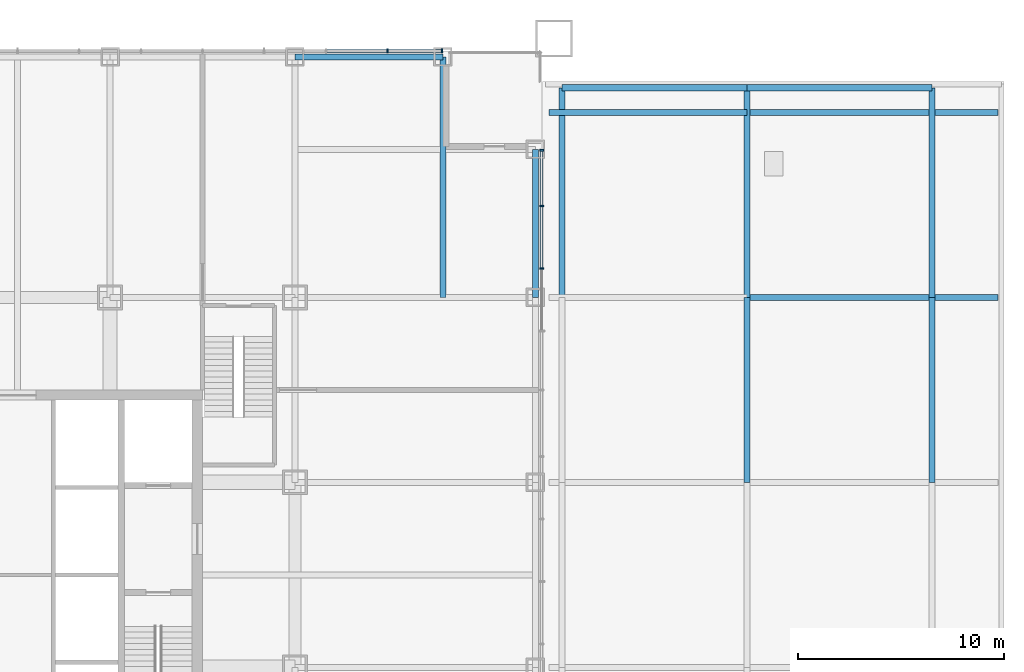
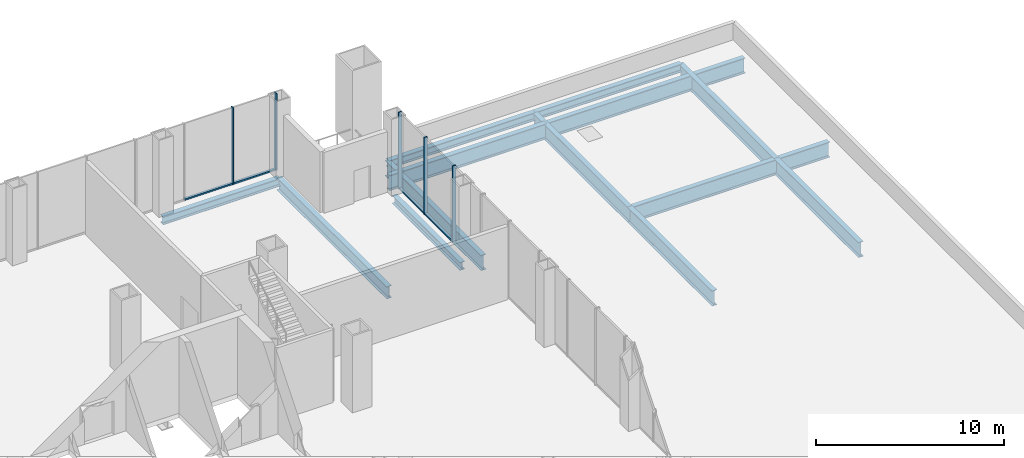
# One storey, part 11 of 16: 13 beams, 9 members, 2 elements without a shape of their own.
"""IFC4 building model written with IfcOpenShell, lengths in metres."""

from ifc_helpers import new_model, si_unit, direction, frame, origin, origin_2d, place, context, subcontext, project, spatial, rectangle, i_section, extrude, material, layer, layer_set, material_profile, profile_set, type_object, element, aggregate, save


model = new_model("IFC4")

# Units and contexts
model_context = context("Model", 3, precision=1e-05, world=origin(), true_north=direction((0.0, 1.0)))
body_context = subcontext(model_context, "Body", "Model", "MODEL_VIEW")
ifc_project = project(units=[si_unit("LENGTHUNIT", "METRE"), si_unit("AREAUNIT", "SQUARE_METRE"), si_unit("VOLUMEUNIT", "CUBIC_METRE"), si_unit("PLANEANGLEUNIT", "RADIAN"), si_unit("MASSUNIT", "GRAM", prefix="KILO")], contexts=[model_context])

# Site, building, storey
site_placement = place(None, origin())
site = spatial("IfcSite", under=ifc_project, at=site_placement, CompositionType="ELEMENT")
building_placement = place(site_placement, origin())
building = spatial("IfcBuilding", under=site, at=building_placement, Name="Malebo Sky Hospital", CompositionType="ELEMENT")
storey_placement = place(building_placement, frame((0.0, 0.0, 26.0)))
storey = spatial("IfcBuildingStorey", under=building, at=storey_placement, Name="L05", CompositionType="ELEMENT", Elevation=26.0)

# Curtain wall, members
ifc_material_1 = material(Name="Anodised aluminium, natural silver", Category="aluminium")
ifc_layer = layer(ifc_material_1, 0.25)
ifc_layer_set = layer_set([ifc_layer], Name="PLANT LOUVRE SCREEN")
curtain_wall_type = type_object("IfcCurtainWallType", Name="PLANT LOUVRE SCREEN", PredefinedType="NOTDEFINED", material=ifc_layer_set)
curtain_wall_1_placement = place(storey_placement, origin())
curtain_wall_1 = element("IfcCurtainWall", 1, at=curtain_wall_1_placement, inside=storey, type_object=curtain_wall_type, Name="PLANT curtain wall N", PredefinedType="NOTDEFINED")
ifc_material_profile_1 = material_profile(ifc_material_1, rectangle(XDim=0.14990234375, YDim=0.10009765625, at=origin_2d()), Name="ALUMINIUM TRANSOM 150x100")
ifc_profile_set_1 = profile_set([ifc_material_profile_1], Name="Anodised aluminium, natural silver")
member_type_1 = type_object("IfcMemberType", Name="ALUMINIUM TRANSOM 150x100", PredefinedType="USERDEFINED", material=ifc_profile_set_1)
member_1_placement = place(storey_placement, frame((75.03759765625, 87.5, 0.050048828125), z_axis=(1.0, 0.0, 0.0), x_axis=(0.0, 1.0, 0.0)))
member_1 = element("IfcMember", 2, at=member_1_placement, type_object=member_type_1, Name="Transom 13", ObjectType="TRANSOM", PredefinedType="USERDEFINED", context=body_context, shape_type="SweptSolid", body=[
    extrude(rectangle(XDim=0.14990234375, YDim=0.10009765625, at=origin_2d()), origin(), (0.0, 0.0, 1.0), 2.9248046875),
])
member_2_placement = place(storey_placement, frame((78.03759765625, 87.5, 0.050048828125), z_axis=(1.0, 0.0, 0.0), x_axis=(0.0, 1.0, 0.0)))
member_2 = element("IfcMember", 3, at=member_2_placement, type_object=member_type_1, Name="Transom 14", ObjectType="TRANSOM", PredefinedType="USERDEFINED", context=body_context, shape_type="SweptSolid", body=[
    extrude(rectangle(XDim=0.14990234375, YDim=0.10009765625, at=origin_2d()), origin(), (0.0, 0.0, 1.0), 2.58740234375),
])

curtain_wall_2_placement = place(storey_placement, origin())
curtain_wall_2 = element("IfcCurtainWall", 4, at=curtain_wall_2_placement, inside=storey, type_object=curtain_wall_type, Name="PLANT curtain wall E", PredefinedType="NOTDEFINED")
member_3_placement = place(storey_placement, frame((85.5, 82.625, 0.050048828125), z_axis=(0.0, -1.0, 0.0), x_axis=(1.0, 0.0, 0.0)))
member_3 = element("IfcMember", 5, at=member_3_placement, type_object=member_type_1, Name="Transom 1", ObjectType="TRANSOM", PredefinedType="USERDEFINED", context=body_context, shape_type="SweptSolid", body=[
    extrude(rectangle(XDim=0.14990234375, YDim=0.10009765625, at=origin_2d()), origin(), (0.0, 0.0, 1.0), 2.6337890625),
])
member_4_placement = place(storey_placement, frame((85.5, 79.916259765625, 0.050048828125), z_axis=(0.0, -1.0, 0.0), x_axis=(1.0, 0.0, 0.0)))
member_4 = element("IfcMember", 6, at=member_4_placement, type_object=member_type_1, Name="Transom 2", ObjectType="TRANSOM", PredefinedType="USERDEFINED", context=body_context, shape_type="SweptSolid", body=[
    extrude(rectangle(XDim=0.14990234375, YDim=0.10009765625, at=origin_2d()), origin(), (0.0, 0.0, 1.0), 2.970947265625),
])

# Member
ifc_material_profile_2 = material_profile(ifc_material_1, rectangle(XDim=0.074951171875, YDim=0.199951171875, at=origin_2d()), Name="CW5 ALUMINIUM FIN MULLION 75x200")
ifc_profile_set_2 = profile_set([ifc_material_profile_2], Name="Anodised aluminium, natural silver")
member_type_2 = type_object("IfcMemberType", Name="CW5 ALUMINIUM FIN MULLION 75x200", PredefinedType="MULLION", material=ifc_profile_set_2)
member_5_placement = place(storey_placement, frame((78.0, 87.5, 0.0), z_axis=(0.0, 0.0, 1.0), x_axis=(1.0, 0.0, 0.0)))
member_5 = element("IfcMember", 7, at=member_5_placement, type_object=member_type_2, Name="Fin mullion 14", PredefinedType="MULLION", context=body_context, shape_type="SweptSolid", body=[
    extrude(rectangle(XDim=0.074951171875, YDim=0.199951171875, at=origin_2d()), origin(), (0.0, 0.0, 1.0), 5.0),
])

member_6_placement = place(storey_placement, frame((80.66259765625, 87.5, 0.0), z_axis=(0.0, 0.0, 1.0), x_axis=(1.0, 0.0, 0.0)))
member_6 = element("IfcMember", 8, at=member_6_placement, type_object=member_type_2, Name="Fin mullion 15", PredefinedType="MULLION", context=body_context, shape_type="SweptSolid", body=[
    extrude(rectangle(XDim=0.074951171875, YDim=0.199951171875, at=origin_2d()), origin(), (0.0, 0.0, 1.0), 5.0),
])

aggregate(curtain_wall_1, [member_5, member_6, member_1, member_2])

member_7_placement = place(storey_placement, frame((85.5, 82.66259765625, 0.0), z_axis=(0.0, 0.0, 1.0), x_axis=(0.0, -1.0, 0.0)))
member_7 = element("IfcMember", 9, at=member_7_placement, type_object=member_type_2, Name="Fin mullion 1", PredefinedType="MULLION", context=body_context, shape_type="SweptSolid", body=[
    extrude(rectangle(XDim=0.074951171875, YDim=0.199951171875, at=origin_2d()), origin(), (0.0, 0.0, 1.0), 5.0),
])

member_8_placement = place(storey_placement, frame((85.5, 79.953857421875, 0.0), z_axis=(0.0, 0.0, 1.0), x_axis=(0.0, -1.0, 0.0)))
member_8 = element("IfcMember", 10, at=member_8_placement, type_object=member_type_2, Name="Fin mullion 2", PredefinedType="MULLION", context=body_context, shape_type="SweptSolid", body=[
    extrude(rectangle(XDim=0.074951171875, YDim=0.199951171875, at=origin_2d()), origin(), (0.0, 0.0, 1.0), 5.0),
])

member_9_placement = place(storey_placement, frame((85.5, 76.90771484375, 0.0), z_axis=(0.0, 0.0, 1.0), x_axis=(0.0, -1.0, 0.0)))
member_9 = element("IfcMember", 11, at=member_9_placement, type_object=member_type_2, Name="Fin mullion 3", PredefinedType="MULLION", context=body_context, shape_type="SweptSolid", body=[
    extrude(rectangle(XDim=0.074951171875, YDim=0.199951171875, at=origin_2d()), origin(), (0.0, 0.0, 1.0), 5.0),
])

aggregate(curtain_wall_2, [member_7, member_8, member_9, member_3, member_4])

# Beams
ifc_material_2 = material(Name="Steel S355", Category="steel")
ifc_material_profile_3 = material_profile(ifc_material_2, i_section(OverallWidth=0.305908203125, OverallDepth=0.52392578125, WebThickness=0.02099609375, FlangeThickness=0.0400390625, FilletRadius=0.027099609375, at=origin_2d()), Name="HEM 500")
ifc_profile_set_3 = profile_set([ifc_material_profile_3], Name="Steel S355")
beam_type_1 = type_object("IfcBeamType", Name="EDGE BEAM HEM 500", PredefinedType="BEAM", material=ifc_profile_set_3)
for number, where, z_axis, x_axis, name in (
    (12, (85.199951171875, 75.5, -0.56201171875), (0.0, 1.0, 0.0), (-1.0, 0.0, 0.0), "Beam 033 L05"),
    (13, (73.5, 87.199951171875, -0.56201171875), (1.0, 0.0, 0.0), (0.0, 1.0, 0.0), "Beam 067 L05"),
):
    element("IfcBeam", number, at=place(storey_placement, frame(where, z_axis=z_axis, x_axis=x_axis)), inside=storey, type_object=beam_type_1, Name=name, PredefinedType="BEAM", context=body_context, shape_type="SweptSolid", body=[
        extrude(i_section(OverallWidth=0.305908203125, OverallDepth=0.52392578125, WebThickness=0.02099609375, FlangeThickness=0.0400390625, FilletRadius=0.027099609375, at=origin_2d()), origin(), (0.0, 0.0, 1.0), 7.199951171875),
    ])
for number, where, z_axis, x_axis, name in (
    (14, (86.5, 85.699951171875, -0.56201171875), (1.0, 0.0, 0.0), (0.0, 1.0, 0.0), "Beam E030 L05"),
    (15, (95.5, 85.699951171875, -0.56201171875), (1.0, 0.0, 0.0), (0.0, 1.0, 0.0), "Beam E031 L05"),
):
    element("IfcBeam", number, at=place(storey_placement, frame(where, z_axis=z_axis, x_axis=x_axis)), inside=storey, type_object=beam_type_1, Name=name, PredefinedType="BEAM", context=body_context, shape_type="SweptSolid", body=[
        extrude(i_section(OverallWidth=0.305908203125, OverallDepth=0.52392578125, WebThickness=0.02099609375, FlangeThickness=0.0400390625, FilletRadius=0.027099609375, at=origin_2d()), origin(), (0.0, 0.0, 1.0), 9.0),
    ])
ifc_material_profile_4 = material_profile(ifc_material_2, i_section(OverallWidth=0.300048828125, OverallDepth=1.0, WebThickness=0.01904296875, FlangeThickness=0.035888671875, FilletRadius=0.030029296875, at=origin_2d()), Name="HEB 1000")
ifc_profile_set_4 = profile_set([ifc_material_profile_4], Name="Steel S355")
beam_type_2 = type_object("IfcBeamType", Name="FLOOR BEAM HEB 1000", PredefinedType="BEAM", material=ifc_profile_set_4)
beam_1_placement = place(storey_placement, frame((86.5, 75.5, -0.800048828125), z_axis=(0.0, 1.0, 0.0), x_axis=(-1.0, 0.0, 0.0)))
element("IfcBeam", 16, at=beam_1_placement, inside=storey, type_object=beam_type_2, Name="Beam E005 L05", PredefinedType="BEAM", context=body_context, shape_type="SweptSolid", body=[
    extrude(i_section(OverallWidth=0.300048828125, OverallDepth=1.0, WebThickness=0.01904296875, FlangeThickness=0.035888671875, FilletRadius=0.030029296875, at=origin_2d()), origin(), (0.0, 0.0, 1.0), 10.199951171875),
])
beam_2_placement = place(storey_placement, frame((95.5, 66.5, -0.800048828125), z_axis=(0.0, 1.0, 0.0), x_axis=(-1.0, 0.0, 0.0)))
element("IfcBeam", 17, at=beam_2_placement, inside=storey, type_object=beam_type_2, Name="Beam E009 L05", PredefinedType="BEAM", context=body_context, shape_type="SweptSolid", body=[
    extrude(i_section(OverallWidth=0.300048828125, OverallDepth=1.0, WebThickness=0.01904296875, FlangeThickness=0.035888671875, FilletRadius=0.030029296875, at=origin_2d()), origin(), (0.0, 0.0, 1.0), 9.0),
])
beam_3_placement = place(storey_placement, frame((95.5, 75.5, -0.800048828125), z_axis=(0.0, 1.0, 0.0), x_axis=(-1.0, 0.0, 0.0)))
element("IfcBeam", 18, at=beam_3_placement, inside=storey, type_object=beam_type_2, Name="Beam E010 L05", PredefinedType="BEAM", context=body_context, shape_type="SweptSolid", body=[
    extrude(i_section(OverallWidth=0.300048828125, OverallDepth=1.0, WebThickness=0.01904296875, FlangeThickness=0.035888671875, FilletRadius=0.030029296875, at=origin_2d()), origin(), (0.0, 0.0, 1.0), 10.199951171875),
])
beam_4_placement = place(storey_placement, frame((104.5, 66.5, -0.800048828125), z_axis=(0.0, 1.0, 0.0), x_axis=(-1.0, 0.0, 0.0)))
element("IfcBeam", 19, at=beam_4_placement, inside=storey, type_object=beam_type_2, Name="Beam E014 L05", PredefinedType="BEAM", context=body_context, shape_type="SweptSolid", body=[
    extrude(i_section(OverallWidth=0.300048828125, OverallDepth=1.0, WebThickness=0.01904296875, FlangeThickness=0.035888671875, FilletRadius=0.030029296875, at=origin_2d()), origin(), (0.0, 0.0, 1.0), 9.0),
])
beam_5_placement = place(storey_placement, frame((104.5, 75.5, -0.800048828125), z_axis=(0.0, 1.0, 0.0), x_axis=(-1.0, 0.0, 0.0)))
element("IfcBeam", 20, at=beam_5_placement, inside=storey, type_object=beam_type_2, Name="Beam E015 L05", PredefinedType="BEAM", context=body_context, shape_type="SweptSolid", body=[
    extrude(i_section(OverallWidth=0.300048828125, OverallDepth=1.0, WebThickness=0.01904296875, FlangeThickness=0.035888671875, FilletRadius=0.030029296875, at=origin_2d()), origin(), (0.0, 0.0, 1.0), 10.199951171875),
])
beam_6_placement = place(storey_placement, frame((95.5, 75.5, -0.800048828125), z_axis=(1.0, 0.0, 0.0), x_axis=(0.0, 1.0, 0.0)))
element("IfcBeam", 21, at=beam_6_placement, inside=storey, type_object=beam_type_2, Name="Beam E025 L05", PredefinedType="BEAM", context=body_context, shape_type="SweptSolid", body=[
    extrude(i_section(OverallWidth=0.300048828125, OverallDepth=1.0, WebThickness=0.01904296875, FlangeThickness=0.035888671875, FilletRadius=0.030029296875, at=origin_2d()), origin(), (0.0, 0.0, 1.0), 12.199951171875),
])
beam_7_placement = place(storey_placement, frame((85.85009765625, 84.5, -0.800048828125), z_axis=(1.0, 0.0, 0.0), x_axis=(0.0, 1.0, 0.0)))
element("IfcBeam", 22, at=beam_7_placement, inside=storey, type_object=beam_type_2, Name="Beam E026 L05", PredefinedType="BEAM", context=body_context, shape_type="SweptSolid", body=[
    extrude(i_section(OverallWidth=0.300048828125, OverallDepth=1.0, WebThickness=0.01904296875, FlangeThickness=0.035888671875, FilletRadius=0.030029296875, at=origin_2d()), origin(), (0.0, 0.0, 1.0), 9.64990234375),
])
beam_8_placement = place(storey_placement, frame((95.5, 84.5, -0.800048828125), z_axis=(1.0, 0.0, 0.0), x_axis=(0.0, 1.0, 0.0)))
element("IfcBeam", 23, at=beam_8_placement, inside=storey, type_object=beam_type_2, Name="Beam E027 L05", PredefinedType="BEAM", context=body_context, shape_type="SweptSolid", body=[
    extrude(i_section(OverallWidth=0.300048828125, OverallDepth=1.0, WebThickness=0.01904296875, FlangeThickness=0.035888671875, FilletRadius=0.030029296875, at=origin_2d()), origin(), (0.0, 0.0, 1.0), 12.199951171875),
])
ifc_material_profile_5 = material_profile(ifc_material_2, i_section(OverallWidth=0.300048828125, OverallDepth=0.800048828125, WebThickness=0.017578125, FlangeThickness=0.032958984375, FilletRadius=0.030029296875, at=origin_2d()), Name="HEB 800")
ifc_profile_set_5 = profile_set([ifc_material_profile_5], Name="Steel S355")
beam_type_3 = type_object("IfcBeamType", Name="FLOOR BEAM HEB 800", PredefinedType="BEAM", material=ifc_profile_set_5)
beam_9_placement = place(storey_placement, frame((80.699951171875, 75.5, -0.699951171875), z_axis=(0.0, 1.0, 0.0), x_axis=(-1.0, 0.0, 0.0)))
element("IfcBeam", 24, at=beam_9_placement, inside=storey, type_object=beam_type_3, Name="Beam 028 L05", PredefinedType="BEAM", context=body_context, shape_type="SweptSolid", body=[
    extrude(i_section(OverallWidth=0.300048828125, OverallDepth=0.800048828125, WebThickness=0.017578125, FlangeThickness=0.032958984375, FilletRadius=0.030029296875, at=origin_2d()), origin(), (0.0, 0.0, 1.0), 11.699951171875),
])

save(model, "model.ifc")
